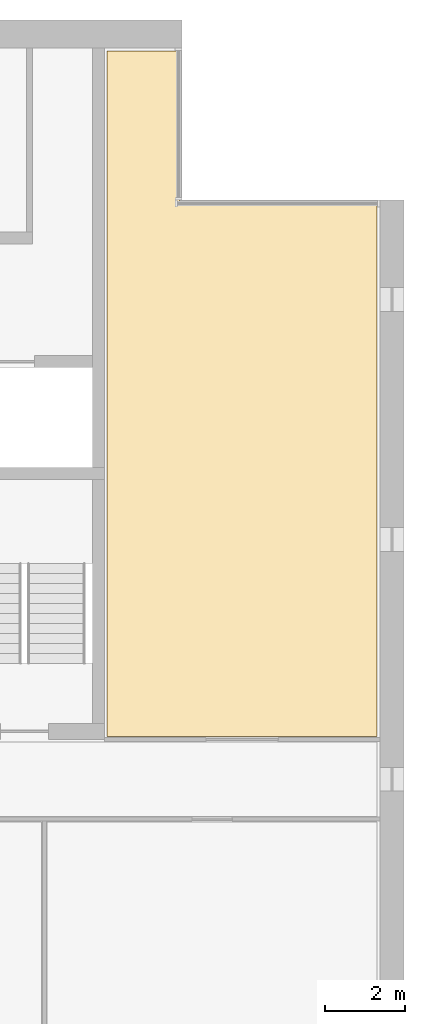
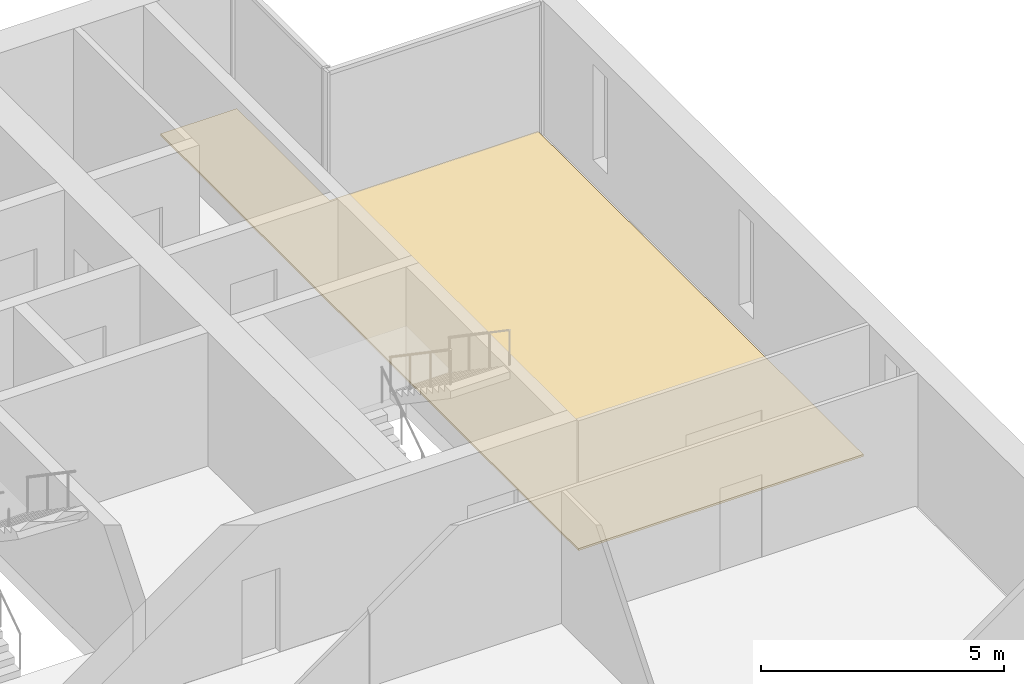
# One storey, part 17 of 17: 1 covering.
"""IFC4 building model written with IfcOpenShell, lengths in metres."""

from ifc_helpers import new_model, si_unit, direction, frame, origin, place, context, subcontext, project, spatial, polyline, outline, extrude, material, layer, layer_set, type_object, element, save


model = new_model("IFC4")

# Units and contexts
model_context = context("Model", 3, precision=1e-05, world=origin(), true_north=direction((0.0, 1.0)))
body_context = subcontext(model_context, "Body", "Model", "MODEL_VIEW")
ifc_project = project(units=[si_unit("LENGTHUNIT", "METRE"), si_unit("AREAUNIT", "SQUARE_METRE"), si_unit("VOLUMEUNIT", "CUBIC_METRE"), si_unit("PLANEANGLEUNIT", "RADIAN"), si_unit("MASSUNIT", "GRAM", prefix="KILO")], contexts=[model_context])

# Site, building, storey
site_placement = place(None, origin())
site = spatial("IfcSite", under=ifc_project, at=site_placement, CompositionType="ELEMENT")
building_placement = place(site_placement, origin())
building = spatial("IfcBuilding", under=site, at=building_placement, Name="Calvaro Tower", CompositionType="ELEMENT")
storey_placement = place(building_placement, frame((0.0, 0.0, 208.0)))
storey = spatial("IfcBuildingStorey", under=building, at=storey_placement, Name="L52", CompositionType="ELEMENT", Elevation=208.0)

# Covering
ifc_material = material(Name="Cement screed with carpet tile finish")
ifc_layer = layer(ifc_material, 0.050048828125)
ifc_layer_set = layer_set([ifc_layer], Name="Cement screed with carpet tile finish")
covering_type = type_object("IfcCoveringType", Name="Floor finish 50", PredefinedType="FLOORING", material=ifc_layer_set)
covering_placement = place(storey_placement, origin())
element("IfcCovering", 1, at=covering_placement, inside=storey, type_object=covering_type, Name="Floor finish 30.16", PredefinedType="FLOORING", context=body_context, shape_type="SweptSolid", body=[
    extrude(outline(polyline([(71.330078125, 28.070068359375), (64.570068359375, 28.070068359375), (64.570068359375, 45.22998046875), (66.3798828125, 45.22998046875), (66.3798828125, 41.429931640625), (71.330078125, 41.429931640625), (71.330078125, 28.070068359375)])), origin(), (0.0, 0.0, 1.0), 0.050048828125),
])

save(model, "model.ifc")
